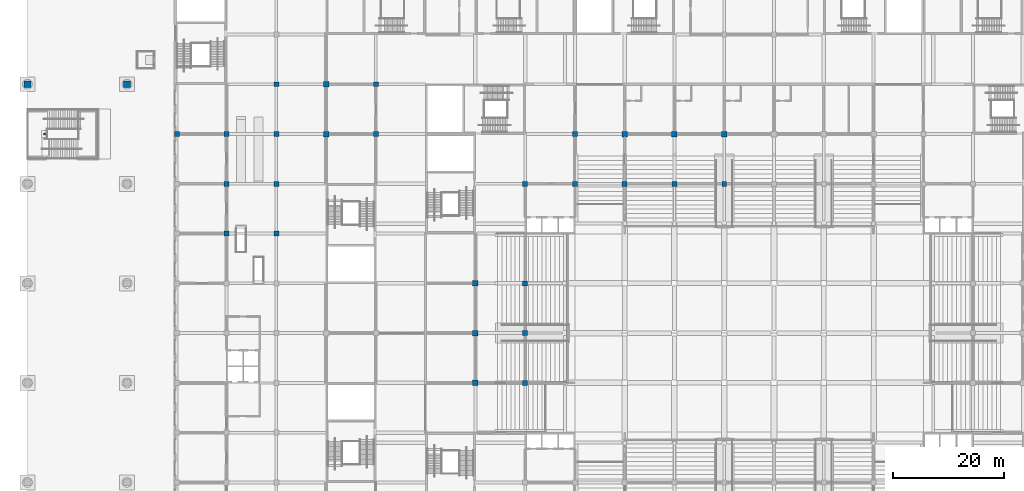
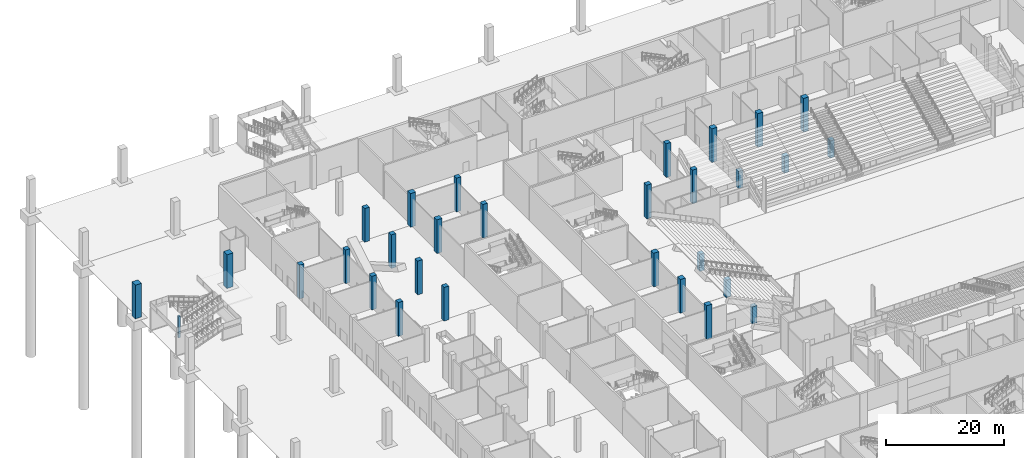
# One storey, part 4 of 92: 30 columns.
"""IFC4 building model written with IfcOpenShell, lengths in metres."""

from ifc_helpers import new_model, si_unit, direction, frame, origin, origin_2d, place, context, subcontext, project, spatial, rectangle, extrude, material, material_profile, profile_set, type_object, element, save


model = new_model("IFC4")

# Units and contexts
model_context = context("Model", 3, precision=1e-05, world=origin(), true_north=direction((0.0, 1.0)))
body_context = subcontext(model_context, "Body", "Model", "MODEL_VIEW")
ifc_project = project(units=[si_unit("LENGTHUNIT", "METRE"), si_unit("AREAUNIT", "SQUARE_METRE"), si_unit("VOLUMEUNIT", "CUBIC_METRE"), si_unit("PLANEANGLEUNIT", "RADIAN"), si_unit("MASSUNIT", "GRAM", prefix="KILO")], contexts=[model_context])

# Site, building, storey
site_placement = place(None, origin())
site = spatial("IfcSite", under=ifc_project, at=site_placement, CompositionType="ELEMENT")
building_placement = place(site_placement, origin())
building = spatial("IfcBuilding", under=site, at=building_placement, Name="Silverbay Arena", CompositionType="ELEMENT")
storey_placement = place(building_placement, origin())
storey = spatial("IfcBuildingStorey", under=building, at=storey_placement, Name="L00", CompositionType="ELEMENT", Elevation=0.0)

# Columns
ifc_material_1 = material(Name="Concrete Grade 60", Category="concrete")
ifc_material_profile_1 = material_profile(ifc_material_1, rectangle(XDim=1.0, YDim=1.0, at=origin_2d()), Name="RC 1000x1000")
ifc_profile_set_1 = profile_set([ifc_material_profile_1], Name="Concrete Grade 60")
column_type_1 = type_object("IfcColumnType", Name="RC column 1000x1000", PredefinedType="COLUMN", material=ifc_profile_set_1)
for number, where, z_axis, x_axis, name in (
    (1, (54.0, 117.0, 0.0), (0.0, 0.0, 1.0), (1.0, 0.0, 0.0), "Column 7/P L00"),
    (2, (54.0, 126.0, 0.0), (0.0, 0.0, 1.0), (1.0, 0.0, 0.0), "Column 7/Q L00"),
    (3, (108.0, 117.0, 0.0), (0.0, 0.0, 1.0), (1.0, 0.0, 0.0), "Column 13/P L00"),
    (4, (117.0, 117.0, 0.0), (0.0, 0.0, 1.0), (1.0, 0.0, 0.0), "Column 14/P L00"),
    (5, (126.0, 117.0, 0.0), (0.0, 0.0, 1.0), (1.0, 0.0, 0.0), "Column 15/P L00"),
    (6, (81.0, 72.0, 0.0), (0.0, 0.0, 1.0), (1.0, 0.0, 0.0), "Column 10/J L00"),
    (7, (81.0, 81.0, 0.0), (0.0, 0.0, 1.0), (1.0, 0.0, 0.0), "Column 10/K L00"),
    (8, (81.0, 90.0, 0.0), (0.0, 0.0, 1.0), (1.0, 0.0, 0.0), "Column 10/L L00"),
):
    element("IfcColumn", number, at=place(storey_placement, frame(where, z_axis=z_axis, x_axis=x_axis)), inside=storey, type_object=column_type_1, Name=name, PredefinedType="COLUMN", context=body_context, shape_type="SweptSolid", body=[
        extrude(rectangle(XDim=1.0, YDim=1.0, at=origin_2d()), origin(), (0.0, 0.0, 1.0), 7.0),
    ])
ifc_material_2 = material(Name="Concrete Grade 60", Category="concrete")
ifc_material_profile_2 = material_profile(ifc_material_2, rectangle(XDim=1.199951171875, YDim=1.199951171875, at=origin_2d()), Name="RC 1200x1200")
ifc_profile_set_2 = profile_set([ifc_material_profile_2], Name="Concrete Grade 60")
column_type_2 = type_object("IfcColumnType", Name="RC column 1200x1200", PredefinedType="COLUMN", material=ifc_profile_set_2)
for number, where, z_axis, x_axis, name in (
    (9, (0.0, 126.0, 0.0), (0.0, 0.0, 1.0), (1.0, 0.0, 0.0), "Column 1/Q L00"),
    (10, (18.0, 126.0, 0.0), (0.0, 0.0, 1.0), (1.0, 0.0, 0.0), "Column 3/Q L00"),
):
    element("IfcColumn", number, at=place(storey_placement, frame(where, z_axis=z_axis, x_axis=x_axis)), inside=storey, type_object=column_type_2, Name=name, PredefinedType="COLUMN", context=body_context, shape_type="SweptSolid", body=[
        extrude(rectangle(XDim=1.199951171875, YDim=1.199951171875, at=origin_2d()), origin(), (0.0, 0.0, 1.0), 7.0),
    ])
ifc_material_3 = material(Name="Concrete Grade C45", Category="concrete")
ifc_material_profile_3 = material_profile(ifc_material_3, rectangle(XDim=0.89990234375, YDim=0.89990234375, at=origin_2d()), Name="RC 900x900")
ifc_profile_set_3 = profile_set([ifc_material_profile_3], Name="Concrete Grade C45")
column_type_3 = type_object("IfcColumnType", Name="RC column 900x900", PredefinedType="COLUMN", material=ifc_profile_set_3)
for number, where, z_axis, x_axis, name in (
    (11, (63.0, 117.0, 0.0), (0.0, 0.0, 1.0), (1.0, 0.0, 0.0), "Column 8/P L00"),
    (12, (63.0, 126.0, 0.0), (0.0, 0.0, 1.0), (1.0, 0.0, 0.0), "Column 8/Q L00"),
    (13, (27.0, 117.0, 0.0), (0.0, 0.0, 1.0), (1.0, 0.0, 0.0), "Column 4/P L00"),
    (14, (36.0, 99.0, 0.0), (0.0, 0.0, 1.0), (1.0, 0.0, 0.0), "Column 5/M L00"),
    (15, (36.0, 108.0, 0.0), (0.0, 0.0, 1.0), (1.0, 0.0, 0.0), "Column 5/N L00"),
    (16, (36.0, 117.0, 0.0), (0.0, 0.0, 1.0), (1.0, 0.0, 0.0), "Column 5/P L00"),
    (17, (45.0, 99.0, 0.0), (0.0, 0.0, 1.0), (1.0, 0.0, 0.0), "Column 6/M L00"),
    (18, (45.0, 108.0, 0.0), (0.0, 0.0, 1.0), (1.0, 0.0, 0.0), "Column 6/N L00"),
    (19, (45.0, 117.0, 0.0), (0.0, 0.0, 1.0), (1.0, 0.0, 0.0), "Column 6/P L00"),
    (20, (45.0, 126.0, 0.0), (0.0, 0.0, 1.0), (1.0, 0.0, 0.0), "Column 6/Q L00"),
    (21, (90.0, 108.0, 0.0), (0.0, 0.0, 1.0), (1.0, 0.0, 0.0), "Column 11/N L00"),
    (22, (99.0, 108.0, 0.0), (0.0, 0.0, 1.0), (1.0, 0.0, 0.0), "Column 12/N L00"),
    (23, (99.0, 117.0, 0.0), (0.0, 0.0, 1.0), (1.0, 0.0, 0.0), "Column 12/P L00"),
):
    element("IfcColumn", number, at=place(storey_placement, frame(where, z_axis=z_axis, x_axis=x_axis)), inside=storey, type_object=column_type_3, Name=name, PredefinedType="COLUMN", context=body_context, shape_type="SweptSolid", body=[
        extrude(rectangle(XDim=0.89990234375, YDim=0.89990234375, at=origin_2d()), origin(), (0.0, 0.0, 1.0), 7.0),
    ])
for number, where, z_axis, x_axis, name in (
    (24, (108.0, 108.0, 0.0), (0.0, 0.0, 1.0), (1.0, 0.0, 0.0), "Column 13/N L00"),
    (25, (117.0, 108.0, 0.0), (0.0, 0.0, 1.0), (1.0, 0.0, 0.0), "Column 14/N L00"),
):
    element("IfcColumn", number, at=place(storey_placement, frame(where, z_axis=z_axis, x_axis=x_axis)), inside=storey, type_object=column_type_3, Name=name, PredefinedType="COLUMN", context=body_context, shape_type="SweptSolid", body=[
        extrude(rectangle(XDim=0.89990234375, YDim=0.89990234375, at=origin_2d()), origin(), (0.0, 0.0, 1.0), 3.5517578125),
    ])
column_1_placement = place(storey_placement, frame((126.0, 108.0, 0.0), z_axis=(0.0, 0.0, 1.0), x_axis=(1.0, 0.0, 0.0)))
element("IfcColumn", 26, at=column_1_placement, inside=storey, type_object=column_type_3, Name="Column 15/N L00", PredefinedType="COLUMN", context=body_context, shape_type="SweptSolid", body=[
    extrude(rectangle(XDim=0.89990234375, YDim=0.89990234375, at=origin_2d()), origin(), (0.0, 0.0, 1.0), 3.662353515625),
])
column_2_placement = place(storey_placement, frame((90.0, 72.0, 0.0), z_axis=(0.0, 0.0, 1.0), x_axis=(1.0, 0.0, 0.0)))
element("IfcColumn", 27, at=column_2_placement, inside=storey, type_object=column_type_3, Name="Column 11/J L00", PredefinedType="COLUMN", context=body_context, shape_type="SweptSolid", body=[
    extrude(rectangle(XDim=0.89990234375, YDim=0.89990234375, at=origin_2d()), origin(), (0.0, 0.0, 1.0), 3.5517578125),
])
column_3_placement = place(storey_placement, frame((90.0, 81.0, 0.0), z_axis=(0.0, 0.0, 1.0), x_axis=(1.0, 0.0, 0.0)))
element("IfcColumn", 28, at=column_3_placement, inside=storey, type_object=column_type_3, Name="Column 11/K L00", PredefinedType="COLUMN", context=body_context, shape_type="SweptSolid", body=[
    extrude(rectangle(XDim=0.89990234375, YDim=0.89990234375, at=origin_2d()), origin(), (0.0, 0.0, 1.0), 3.662353515625),
])
column_4_placement = place(storey_placement, frame((90.0, 90.0, 0.0), z_axis=(0.0, 0.0, 1.0), x_axis=(1.0, 0.0, 0.0)))
element("IfcColumn", 29, at=column_4_placement, inside=storey, type_object=column_type_3, Name="Column 11/L L00", PredefinedType="COLUMN", context=body_context, shape_type="SweptSolid", body=[
    extrude(rectangle(XDim=0.89990234375, YDim=0.89990234375, at=origin_2d()), origin(), (0.0, 0.0, 1.0), 3.5517578125),
])
ifc_material_4 = material(Name="Concrete Grade C45", Category="concrete")
ifc_material_profile_4 = material_profile(ifc_material_4, rectangle(XDim=0.39990234375, YDim=0.39990234375, at=origin_2d()), Name="RC 400x400")
ifc_profile_set_4 = profile_set([ifc_material_profile_4], Name="Concrete Grade C45")
column_type_4 = type_object("IfcColumnType", Name="Support column RC 400 x 400", PredefinedType="COLUMN", material=ifc_profile_set_4)
column_5_placement = place(storey_placement, frame((3.10009765625, 117.0, 0.0), z_axis=(0.0, 0.0, 1.0), x_axis=(1.0, 0.0, 0.0)))
element("IfcColumn", 30, at=column_5_placement, inside=storey, type_object=column_type_4, Name="Deck stair DS2 landing support column", PredefinedType="COLUMN", context=body_context, shape_type="SweptSolid", body=[
    extrude(rectangle(XDim=0.39990234375, YDim=0.39990234375, at=origin_2d()), origin(), (0.0, 0.0, 1.0), 4.416748046875),
])

save(model, "model.ifc")
